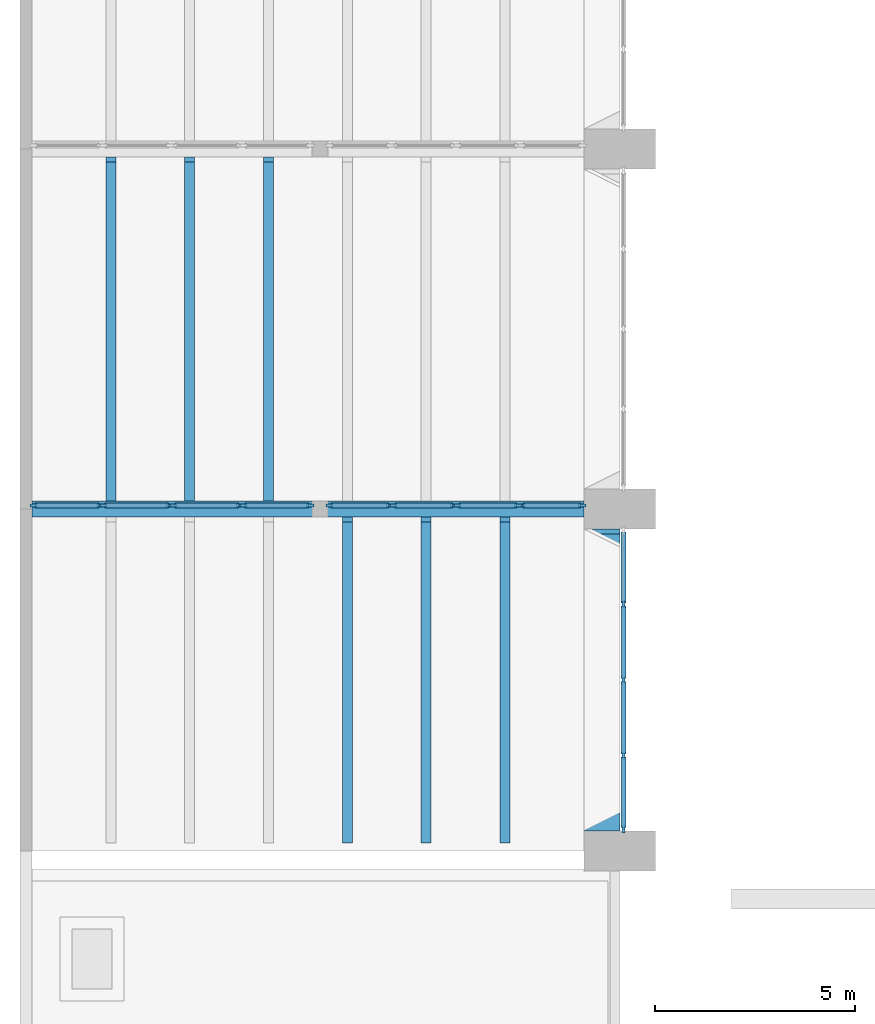
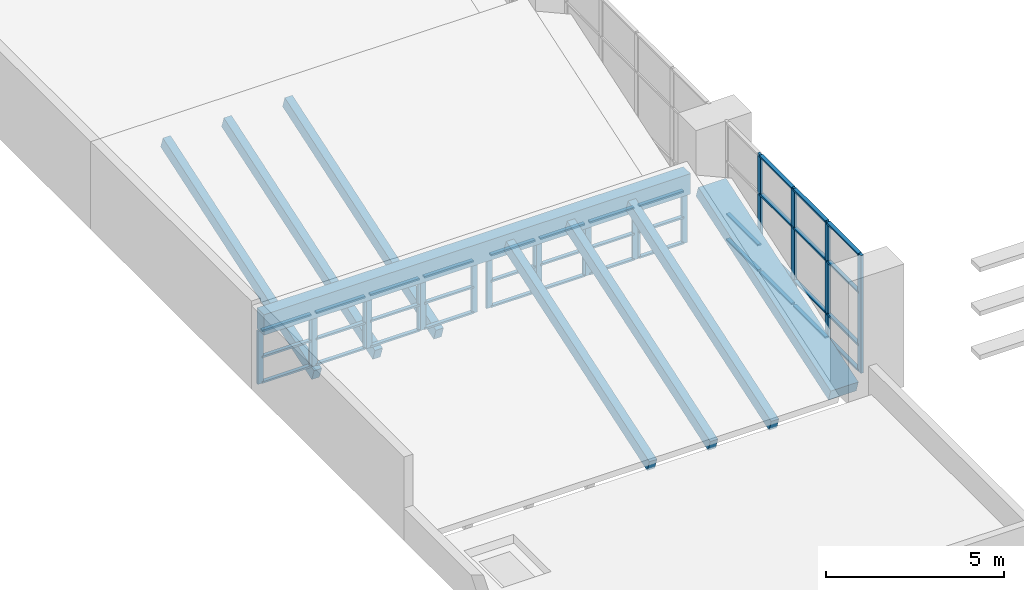
# One storey, part 3 of 43: 58 members, 8 beams, 9 elements without a shape of their own.
"""IFC4 building model written with IfcOpenShell, lengths in metres."""

from ifc_helpers import new_model, si_unit, direction, frame, origin, origin_2d, place, context, subcontext, project, spatial, rectangle, extrude, material, material_profile, profile_set, type_object, element, aggregate, save


model = new_model("IFC4")

# Units and contexts
model_context = context("Model", 3, precision=1e-05, world=origin(), true_north=direction((0.0, 1.0)))
body_context = subcontext(model_context, "Body", "Model", "MODEL_VIEW")
ifc_project = project(units=[si_unit("LENGTHUNIT", "METRE"), si_unit("AREAUNIT", "SQUARE_METRE"), si_unit("VOLUMEUNIT", "CUBIC_METRE"), si_unit("PLANEANGLEUNIT", "RADIAN"), si_unit("MASSUNIT", "GRAM", prefix="KILO")], contexts=[model_context])

# Site, building, storey
site_placement = place(None, origin())
site = spatial("IfcSite", under=ifc_project, at=site_placement, CompositionType="ELEMENT")
building_placement = place(site_placement, origin())
building = spatial("IfcBuilding", under=site, at=building_placement, Name="Elmora Arch Market Hall", CompositionType="ELEMENT")
storey_placement = place(building_placement, frame((0.0, 0.0, 10.199951171875)))
storey = spatial("IfcBuildingStorey", under=building, at=storey_placement, Name="L02", CompositionType="ELEMENT", Elevation=10.199951171875)

# Curtain wall, members
ifc_material_1 = material(Name="Aluminium", Category="aluminium")
curtain_wall_type_1 = type_object("IfcCurtainWallType", Name="Hall front curtain wall", PredefinedType="NOTDEFINED", material=ifc_material_1)
curtain_wall_1_placement = place(storey_placement, origin())
curtain_wall_1 = element("IfcCurtainWall", 1, at=curtain_wall_1_placement, inside=storey, type_object=curtain_wall_type_1, Name="Hall west glazing L02 1", PredefinedType="NOTDEFINED")
ifc_material_2 = material(Name="Aluminium", Category="aluminium")
ifc_material_profile_1 = material_profile(ifc_material_2, rectangle(XDim=0.080078125, YDim=0.179931640625, at=origin_2d()), Name="AL 80x180")
ifc_profile_set_1 = profile_set([ifc_material_profile_1], Name="Aluminium")
member_type_1 = type_object("IfcMemberType", Name="Mullion 80x180", PredefinedType="MULLION", material=ifc_profile_set_1)
member_1_placement = place(storey_placement, frame((15.090087890625, 27.989990234375, 0.166748046875), z_axis=(0.0, 0.0, 1.0), x_axis=(-1.0, 0.0, 0.0)))
member_1 = element("IfcMember", 2, at=member_1_placement, type_object=member_type_1, Name="CW2 mullion 1", PredefinedType="MULLION", context=body_context, shape_type="SweptSolid", body=[
    extrude(rectangle(XDim=0.080078125, YDim=0.179931640625, at=origin_2d()), origin(), (0.0, 0.0, 1.0), 4.033203125),
])
member_2_placement = place(storey_placement, frame((15.090087890625, 29.83740234375, 0.166748046875), z_axis=(0.0, 0.0, 1.0), x_axis=(-1.0, 0.0, 0.0)))
member_2 = element("IfcMember", 3, at=member_2_placement, type_object=member_type_1, Name="CW2 mullion 2", PredefinedType="MULLION", context=body_context, shape_type="SweptSolid", body=[
    extrude(rectangle(XDim=0.080078125, YDim=0.179931640625, at=origin_2d()), origin(), (0.0, 0.0, 1.0), 4.033203125),
])
member_3_placement = place(storey_placement, frame((15.090087890625, 31.72509765625, 0.166748046875), z_axis=(0.0, 0.0, 1.0), x_axis=(-1.0, 0.0, 0.0)))
member_3 = element("IfcMember", 4, at=member_3_placement, type_object=member_type_1, Name="CW2 mullion 3", PredefinedType="MULLION", context=body_context, shape_type="SweptSolid", body=[
    extrude(rectangle(XDim=0.080078125, YDim=0.179931640625, at=origin_2d()), origin(), (0.0, 0.0, 1.0), 4.033203125),
])
member_4_placement = place(storey_placement, frame((15.090087890625, 33.612548828125, 0.166748046875), z_axis=(0.0, 0.0, 1.0), x_axis=(-1.0, 0.0, 0.0)))
member_4 = element("IfcMember", 5, at=member_4_placement, type_object=member_type_1, Name="CW2 mullion 4", PredefinedType="MULLION", context=body_context, shape_type="SweptSolid", body=[
    extrude(rectangle(XDim=0.080078125, YDim=0.179931640625, at=origin_2d()), origin(), (0.0, 0.0, 1.0), 4.033203125),
])

ifc_material_3 = material(Name="Aluminium", Category="aluminium")
curtain_wall_type_2 = type_object("IfcCurtainWallType", Name="Sawtooth glazing curtain wall", PredefinedType="NOTDEFINED", material=ifc_material_3)
curtain_wall_2_placement = place(storey_placement, origin())
curtain_wall_2 = element("IfcCurtainWall", 6, at=curtain_wall_2_placement, inside=storey, type_object=curtain_wall_type_2, Name="Sawtooth riser 1 part 1.1", PredefinedType="NOTDEFINED")
member_5_placement = place(storey_placement, frame((0.340087890625, 36.090087890625, 0.030029296875), z_axis=(0.0, 0.0, 1.0), x_axis=(0.0, 1.0, 0.0)))
member_5 = element("IfcMember", 7, at=member_5_placement, type_object=member_type_1, Name="CW7 mullion 1", PredefinedType="MULLION", context=body_context, shape_type="SweptSolid", body=[
    extrude(rectangle(XDim=0.080078125, YDim=0.179931640625, at=origin_2d()), origin(), (0.0, 0.0, 1.0), 1.820068359375),
])
member_6_placement = place(storey_placement, frame((2.010009765625, 36.090087890625, 0.030029296875), z_axis=(0.0, 0.0, 1.0), x_axis=(0.0, 1.0, 0.0)))
member_6 = element("IfcMember", 8, at=member_6_placement, type_object=member_type_1, Name="CW7 mullion 2", PredefinedType="MULLION", context=body_context, shape_type="SweptSolid", body=[
    extrude(rectangle(XDim=0.080078125, YDim=0.179931640625, at=origin_2d()), origin(), (0.0, 0.0, 1.0), 1.820068359375),
])

curtain_wall_3_placement = place(storey_placement, origin())
curtain_wall_3 = element("IfcCurtainWall", 9, at=curtain_wall_3_placement, inside=storey, type_object=curtain_wall_type_2, Name="Sawtooth riser 1 part 1.2", PredefinedType="NOTDEFINED")
member_7_placement = place(storey_placement, frame((2.090087890625, 36.090087890625, 0.030029296875), z_axis=(0.0, 0.0, 1.0), x_axis=(0.0, 1.0, 0.0)))
member_7 = element("IfcMember", 10, at=member_7_placement, type_object=member_type_1, Name="CW7 mullion 1", PredefinedType="MULLION", context=body_context, shape_type="SweptSolid", body=[
    extrude(rectangle(XDim=0.080078125, YDim=0.179931640625, at=origin_2d()), origin(), (0.0, 0.0, 1.0), 1.820068359375),
])
member_8_placement = place(storey_placement, frame((3.760009765625, 36.090087890625, 0.030029296875), z_axis=(0.0, 0.0, 1.0), x_axis=(0.0, 1.0, 0.0)))
member_8 = element("IfcMember", 11, at=member_8_placement, type_object=member_type_1, Name="CW7 mullion 2", PredefinedType="MULLION", context=body_context, shape_type="SweptSolid", body=[
    extrude(rectangle(XDim=0.080078125, YDim=0.179931640625, at=origin_2d()), origin(), (0.0, 0.0, 1.0), 1.820068359375),
])

curtain_wall_4_placement = place(storey_placement, origin())
curtain_wall_4 = element("IfcCurtainWall", 12, at=curtain_wall_4_placement, inside=storey, type_object=curtain_wall_type_2, Name="Sawtooth riser 1 part 1.3", PredefinedType="NOTDEFINED")
member_9_placement = place(storey_placement, frame((3.840087890625, 36.090087890625, 0.030029296875), z_axis=(0.0, 0.0, 1.0), x_axis=(0.0, 1.0, 0.0)))
member_9 = element("IfcMember", 13, at=member_9_placement, type_object=member_type_1, Name="CW7 mullion 1", PredefinedType="MULLION", context=body_context, shape_type="SweptSolid", body=[
    extrude(rectangle(XDim=0.080078125, YDim=0.179931640625, at=origin_2d()), origin(), (0.0, 0.0, 1.0), 1.820068359375),
])
member_10_placement = place(storey_placement, frame((5.510009765625, 36.090087890625, 0.030029296875), z_axis=(0.0, 0.0, 1.0), x_axis=(0.0, 1.0, 0.0)))
member_10 = element("IfcMember", 14, at=member_10_placement, type_object=member_type_1, Name="CW7 mullion 2", PredefinedType="MULLION", context=body_context, shape_type="SweptSolid", body=[
    extrude(rectangle(XDim=0.080078125, YDim=0.179931640625, at=origin_2d()), origin(), (0.0, 0.0, 1.0), 1.820068359375),
])

curtain_wall_5_placement = place(storey_placement, origin())
curtain_wall_5 = element("IfcCurtainWall", 15, at=curtain_wall_5_placement, inside=storey, type_object=curtain_wall_type_2, Name="Sawtooth riser 1 part 1.4", PredefinedType="NOTDEFINED")
member_11_placement = place(storey_placement, frame((5.590087890625, 36.090087890625, 0.030029296875), z_axis=(0.0, 0.0, 1.0), x_axis=(0.0, 1.0, 0.0)))
member_11 = element("IfcMember", 16, at=member_11_placement, type_object=member_type_1, Name="CW7 mullion 1", PredefinedType="MULLION", context=body_context, shape_type="SweptSolid", body=[
    extrude(rectangle(XDim=0.080078125, YDim=0.179931640625, at=origin_2d()), origin(), (0.0, 0.0, 1.0), 1.820068359375),
])
member_12_placement = place(storey_placement, frame((7.260009765625, 36.090087890625, 0.030029296875), z_axis=(0.0, 0.0, 1.0), x_axis=(0.0, 1.0, 0.0)))
member_12 = element("IfcMember", 17, at=member_12_placement, type_object=member_type_1, Name="CW7 mullion 2", PredefinedType="MULLION", context=body_context, shape_type="SweptSolid", body=[
    extrude(rectangle(XDim=0.080078125, YDim=0.179931640625, at=origin_2d()), origin(), (0.0, 0.0, 1.0), 1.820068359375),
])

curtain_wall_6_placement = place(storey_placement, origin())
curtain_wall_6 = element("IfcCurtainWall", 18, at=curtain_wall_6_placement, inside=storey, type_object=curtain_wall_type_2, Name="Sawtooth riser 1 part 2.1", PredefinedType="NOTDEFINED")
member_13_placement = place(storey_placement, frame((7.739990234375, 36.090087890625, 0.030029296875), z_axis=(0.0, 0.0, 1.0), x_axis=(0.0, 1.0, 0.0)))
member_13 = element("IfcMember", 19, at=member_13_placement, type_object=member_type_1, Name="CW7 mullion 1", PredefinedType="MULLION", context=body_context, shape_type="SweptSolid", body=[
    extrude(rectangle(XDim=0.080078125, YDim=0.179931640625, at=origin_2d()), origin(), (0.0, 0.0, 1.0), 1.820068359375),
])
member_14_placement = place(storey_placement, frame((9.260009765625, 36.090087890625, 0.030029296875), z_axis=(0.0, 0.0, 1.0), x_axis=(0.0, 1.0, 0.0)))
member_14 = element("IfcMember", 20, at=member_14_placement, type_object=member_type_1, Name="CW7 mullion 2", PredefinedType="MULLION", context=body_context, shape_type="SweptSolid", body=[
    extrude(rectangle(XDim=0.080078125, YDim=0.179931640625, at=origin_2d()), origin(), (0.0, 0.0, 1.0), 1.820068359375),
])

curtain_wall_7_placement = place(storey_placement, origin())
curtain_wall_7 = element("IfcCurtainWall", 21, at=curtain_wall_7_placement, inside=storey, type_object=curtain_wall_type_2, Name="Sawtooth riser 1 part 2.2", PredefinedType="NOTDEFINED")
member_15_placement = place(storey_placement, frame((9.340087890625, 36.090087890625, 0.030029296875), z_axis=(0.0, 0.0, 1.0), x_axis=(0.0, 1.0, 0.0)))
member_15 = element("IfcMember", 22, at=member_15_placement, type_object=member_type_1, Name="CW7 mullion 1", PredefinedType="MULLION", context=body_context, shape_type="SweptSolid", body=[
    extrude(rectangle(XDim=0.080078125, YDim=0.179931640625, at=origin_2d()), origin(), (0.0, 0.0, 1.0), 1.820068359375),
])
member_16_placement = place(storey_placement, frame((10.860107421875, 36.090087890625, 0.030029296875), z_axis=(0.0, 0.0, 1.0), x_axis=(0.0, 1.0, 0.0)))
member_16 = element("IfcMember", 23, at=member_16_placement, type_object=member_type_1, Name="CW7 mullion 2", PredefinedType="MULLION", context=body_context, shape_type="SweptSolid", body=[
    extrude(rectangle(XDim=0.080078125, YDim=0.179931640625, at=origin_2d()), origin(), (0.0, 0.0, 1.0), 1.820068359375),
])

curtain_wall_8_placement = place(storey_placement, origin())
curtain_wall_8 = element("IfcCurtainWall", 24, at=curtain_wall_8_placement, inside=storey, type_object=curtain_wall_type_2, Name="Sawtooth riser 1 part 2.3", PredefinedType="NOTDEFINED")
member_17_placement = place(storey_placement, frame((10.93994140625, 36.090087890625, 0.030029296875), z_axis=(0.0, 0.0, 1.0), x_axis=(0.0, 1.0, 0.0)))
member_17 = element("IfcMember", 25, at=member_17_placement, type_object=member_type_1, Name="CW7 mullion 1", PredefinedType="MULLION", context=body_context, shape_type="SweptSolid", body=[
    extrude(rectangle(XDim=0.080078125, YDim=0.179931640625, at=origin_2d()), origin(), (0.0, 0.0, 1.0), 1.820068359375),
])
member_18_placement = place(storey_placement, frame((12.4599609375, 36.090087890625, 0.030029296875), z_axis=(0.0, 0.0, 1.0), x_axis=(0.0, 1.0, 0.0)))
member_18 = element("IfcMember", 26, at=member_18_placement, type_object=member_type_1, Name="CW7 mullion 2", PredefinedType="MULLION", context=body_context, shape_type="SweptSolid", body=[
    extrude(rectangle(XDim=0.080078125, YDim=0.179931640625, at=origin_2d()), origin(), (0.0, 0.0, 1.0), 1.820068359375),
])

curtain_wall_9_placement = place(storey_placement, origin())
curtain_wall_9 = element("IfcCurtainWall", 27, at=curtain_wall_9_placement, inside=storey, type_object=curtain_wall_type_2, Name="Sawtooth riser 1 part 2.4", PredefinedType="NOTDEFINED")
member_19_placement = place(storey_placement, frame((12.5400390625, 36.090087890625, 0.030029296875), z_axis=(0.0, 0.0, 1.0), x_axis=(0.0, 1.0, 0.0)))
member_19 = element("IfcMember", 28, at=member_19_placement, type_object=member_type_1, Name="CW7 mullion 1", PredefinedType="MULLION", context=body_context, shape_type="SweptSolid", body=[
    extrude(rectangle(XDim=0.080078125, YDim=0.179931640625, at=origin_2d()), origin(), (0.0, 0.0, 1.0), 1.820068359375),
])
member_20_placement = place(storey_placement, frame((14.06005859375, 36.090087890625, 0.030029296875), z_axis=(0.0, 0.0, 1.0), x_axis=(0.0, 1.0, 0.0)))
member_20 = element("IfcMember", 29, at=member_20_placement, type_object=member_type_1, Name="CW7 mullion 2", PredefinedType="MULLION", context=body_context, shape_type="SweptSolid", body=[
    extrude(rectangle(XDim=0.080078125, YDim=0.179931640625, at=origin_2d()), origin(), (0.0, 0.0, 1.0), 1.820068359375),
])

# Beams
ifc_material_4 = material(Name="Concrete C32/40", Category="concrete")
ifc_material_profile_2 = material_profile(ifc_material_4, rectangle(XDim=0.39990234375, YDim=0.699951171875, at=origin_2d()), Name="Ridge beam 400x700")
ifc_profile_set_2 = profile_set([ifc_material_profile_2], Name="Concrete C32/40")
beam_type_1 = type_object("IfcBeamType", Name="Ridge beam 400x700", PredefinedType="BEAM", material=ifc_profile_set_2)
beam_1_placement = place(storey_placement, frame((0.300048828125, 36.0, 2.199951171875), z_axis=(1.0, 0.0, 0.0), x_axis=(0.0, 1.0, 0.0)))
element("IfcBeam", 30, at=beam_1_placement, inside=storey, type_object=beam_type_1, Name="Ridge beam RB1 L02.1", PredefinedType="BEAM", context=body_context, shape_type="SweptSolid", body=[
    extrude(rectangle(XDim=0.39990234375, YDim=0.699951171875, at=origin_2d()), origin(), (0.0, 0.0, 1.0), 13.800048828125),
])
ifc_material_5 = material(Name="Concrete C32/40", Category="concrete")
ifc_material_profile_3 = material_profile(ifc_material_5, rectangle(XDim=0.89990234375, YDim=0.39990234375, at=origin_2d()), Name="Sawtooth edge beam 900x400")
ifc_profile_set_3 = profile_set([ifc_material_profile_3], Name="Concrete C32/40")
beam_type_2 = type_object("IfcBeamType", Name="Sawtooth edge beam 900x400", PredefinedType="BEAM", material=ifc_profile_set_3)
beam_2_placement = place(storey_placement, frame((14.550048828125, 28.01318359375, -0.322998046875), z_axis=(0.0, 0.948689537808, 0.31620904613), x_axis=(-1.0, 0.0, 0.0)))
element("IfcBeam", 31, at=beam_2_placement, inside=storey, type_object=beam_type_2, Name="Sawtooth edge beam 1", PredefinedType="BEAM", context=body_context, shape_type="SweptSolid", body=[
    extrude(rectangle(XDim=0.89990234375, YDim=0.39990234375, at=origin_2d()), origin(), (0.0, 0.0, 1.0), 7.8251953125),
])
ifc_material_6 = material(Name="Concrete C32/40", Category="concrete")
ifc_material_profile_4 = material_profile(ifc_material_6, rectangle(XDim=0.25, YDim=0.39990234375, at=origin_2d()), Name="Sawtooth rafter 250x400")
ifc_profile_set_4 = profile_set([ifc_material_profile_4], Name="Concrete C32/40")
beam_type_3 = type_object("IfcBeamType", Name="Sawtooth rafter 250x400", PredefinedType="BEAM", material=ifc_profile_set_4)
for number, where, z_axis, x_axis, name in (
    (32, (8.185791015625, 27.713134765625, -0.443115234375), (0.0, 0.948683298051, 0.316227766017), (-1.0, 0.0, 0.0), "Sawtooth rafter 1.4"),
    (33, (10.156982421875, 27.713134765625, -0.443115234375), (0.0, 0.948683298051, 0.316227766017), (-1.0, 0.0, 0.0), "Sawtooth rafter 1.5"),
    (34, (12.128662109375, 27.713134765625, -0.443115234375), (0.0, 0.948683298051, 0.316227766017), (-1.0, 0.0, 0.0), "Sawtooth rafter 1.6"),
):
    element("IfcBeam", number, at=place(storey_placement, frame(where, z_axis=z_axis, x_axis=x_axis)), inside=storey, type_object=beam_type_3, Name=name, PredefinedType="BEAM", context=body_context, shape_type="SweptSolid", body=[
        extrude(rectangle(XDim=0.25, YDim=0.39990234375, at=origin_2d()), origin(), (0.0, 0.0, 1.0), 8.457763671875),
    ])
for number, where, z_axis, x_axis, name in (
    (35, (2.271484375, 36.26318359375, -0.443115234375), (0.0, 0.94868603135, 0.316219565999), (-1.0, 0.0, 0.0), "Sawtooth rafter 2.1"),
    (36, (4.242919921875, 36.26318359375, -0.443115234375), (0.0, 0.94868603135, 0.316219565999), (-1.0, 0.0, 0.0), "Sawtooth rafter 2.2"),
    (37, (6.21435546875, 36.26318359375, -0.443115234375), (0.0, 0.94868603135, 0.316219565999), (-1.0, 0.0, 0.0), "Sawtooth rafter 2.3"),
):
    element("IfcBeam", number, at=place(storey_placement, frame(where, z_axis=z_axis, x_axis=x_axis)), inside=storey, type_object=beam_type_3, Name=name, PredefinedType="BEAM", context=body_context, shape_type="SweptSolid", body=[
        extrude(rectangle(XDim=0.25, YDim=0.39990234375, at=origin_2d()), origin(), (0.0, 0.0, 1.0), 8.931884765625),
    ])

# Member
ifc_material_7 = material(Name="Aluminium", Category="aluminium")
ifc_material_profile_5 = material_profile(ifc_material_7, rectangle(XDim=0.1201171875, YDim=0.06005859375, at=origin_2d()), Name="AL 120x60")
ifc_profile_set_5 = profile_set([ifc_material_profile_5], Name="Aluminium")
member_type_2 = type_object("IfcMemberType", Name="Transom 120x60", PredefinedType="USERDEFINED", material=ifc_profile_set_5)
member_21_placement = place(storey_placement, frame((15.090087890625, 28.030029296875, 0.19677734375), z_axis=(0.0, 1.0, 0.0), x_axis=(-1.0, 0.0, 0.0)))
member_21 = element("IfcMember", 38, at=member_21_placement, type_object=member_type_2, Name="CW2 transom 1.1", ObjectType="TRANSOM", PredefinedType="USERDEFINED", context=body_context, shape_type="SweptSolid", body=[
    extrude(rectangle(XDim=0.1201171875, YDim=0.06005859375, at=origin_2d()), origin(), (0.0, 0.0, 1.0), 1.767578125),
])

member_22_placement = place(storey_placement, frame((15.090087890625, 28.030029296875, 1.066650390625), z_axis=(0.0, 1.0, 0.0), x_axis=(-1.0, 0.0, 0.0)))
member_22 = element("IfcMember", 39, at=member_22_placement, type_object=member_type_2, Name="CW2 transom 1.2", ObjectType="TRANSOM", PredefinedType="USERDEFINED", context=body_context, shape_type="SweptSolid", body=[
    extrude(rectangle(XDim=0.1201171875, YDim=0.06005859375, at=origin_2d()), origin(), (0.0, 0.0, 1.0), 1.767578125),
])

member_23_placement = place(storey_placement, frame((15.090087890625, 28.030029296875, 2.86669921875), z_axis=(0.0, 1.0, 0.0), x_axis=(-1.0, 0.0, 0.0)))
member_23 = element("IfcMember", 40, at=member_23_placement, type_object=member_type_2, Name="CW2 transom 1.3", ObjectType="TRANSOM", PredefinedType="USERDEFINED", context=body_context, shape_type="SweptSolid", body=[
    extrude(rectangle(XDim=0.1201171875, YDim=0.06005859375, at=origin_2d()), origin(), (0.0, 0.0, 1.0), 1.767578125),
])

member_24_placement = place(storey_placement, frame((15.090087890625, 28.030029296875, 4.170166015625), z_axis=(0.0, 1.0, 0.0), x_axis=(-1.0, 0.0, 0.0)))
member_24 = element("IfcMember", 41, at=member_24_placement, type_object=member_type_2, Name="CW2 transom 1.4", ObjectType="TRANSOM", PredefinedType="USERDEFINED", context=body_context, shape_type="SweptSolid", body=[
    extrude(rectangle(XDim=0.1201171875, YDim=0.06005859375, at=origin_2d()), origin(), (0.0, 0.0, 1.0), 1.767578125),
])

member_25_placement = place(storey_placement, frame((15.090087890625, 29.87744140625, 0.19677734375), z_axis=(0.0, 1.0, 0.0), x_axis=(-1.0, 0.0, 0.0)))
member_25 = element("IfcMember", 42, at=member_25_placement, type_object=member_type_2, Name="CW2 transom 2.1", ObjectType="TRANSOM", PredefinedType="USERDEFINED", context=body_context, shape_type="SweptSolid", body=[
    extrude(rectangle(XDim=0.1201171875, YDim=0.06005859375, at=origin_2d()), origin(), (0.0, 0.0, 1.0), 1.8076171875),
])

member_26_placement = place(storey_placement, frame((15.090087890625, 29.87744140625, 1.066650390625), z_axis=(0.0, 1.0, 0.0), x_axis=(-1.0, 0.0, 0.0)))
member_26 = element("IfcMember", 43, at=member_26_placement, type_object=member_type_2, Name="CW2 transom 2.2", ObjectType="TRANSOM", PredefinedType="USERDEFINED", context=body_context, shape_type="SweptSolid", body=[
    extrude(rectangle(XDim=0.1201171875, YDim=0.06005859375, at=origin_2d()), origin(), (0.0, 0.0, 1.0), 1.8076171875),
])

member_27_placement = place(storey_placement, frame((15.090087890625, 29.87744140625, 2.86669921875), z_axis=(0.0, 1.0, 0.0), x_axis=(-1.0, 0.0, 0.0)))
member_27 = element("IfcMember", 44, at=member_27_placement, type_object=member_type_2, Name="CW2 transom 2.3", ObjectType="TRANSOM", PredefinedType="USERDEFINED", context=body_context, shape_type="SweptSolid", body=[
    extrude(rectangle(XDim=0.1201171875, YDim=0.06005859375, at=origin_2d()), origin(), (0.0, 0.0, 1.0), 1.8076171875),
])

member_28_placement = place(storey_placement, frame((15.090087890625, 29.87744140625, 4.170166015625), z_axis=(0.0, 1.0, 0.0), x_axis=(-1.0, 0.0, 0.0)))
member_28 = element("IfcMember", 45, at=member_28_placement, type_object=member_type_2, Name="CW2 transom 2.4", ObjectType="TRANSOM", PredefinedType="USERDEFINED", context=body_context, shape_type="SweptSolid", body=[
    extrude(rectangle(XDim=0.1201171875, YDim=0.06005859375, at=origin_2d()), origin(), (0.0, 0.0, 1.0), 1.8076171875),
])

member_29_placement = place(storey_placement, frame((15.090087890625, 31.764892578125, 0.19677734375), z_axis=(0.0, 1.0, 0.0), x_axis=(-1.0, 0.0, 0.0)))
member_29 = element("IfcMember", 46, at=member_29_placement, type_object=member_type_2, Name="CW2 transom 3.1", ObjectType="TRANSOM", PredefinedType="USERDEFINED", context=body_context, shape_type="SweptSolid", body=[
    extrude(rectangle(XDim=0.1201171875, YDim=0.06005859375, at=origin_2d()), origin(), (0.0, 0.0, 1.0), 1.8076171875),
])

member_30_placement = place(storey_placement, frame((15.090087890625, 31.764892578125, 1.066650390625), z_axis=(0.0, 1.0, 0.0), x_axis=(-1.0, 0.0, 0.0)))
member_30 = element("IfcMember", 47, at=member_30_placement, type_object=member_type_2, Name="CW2 transom 3.2", ObjectType="TRANSOM", PredefinedType="USERDEFINED", context=body_context, shape_type="SweptSolid", body=[
    extrude(rectangle(XDim=0.1201171875, YDim=0.06005859375, at=origin_2d()), origin(), (0.0, 0.0, 1.0), 1.8076171875),
])

member_31_placement = place(storey_placement, frame((15.090087890625, 31.764892578125, 2.86669921875), z_axis=(0.0, 1.0, 0.0), x_axis=(-1.0, 0.0, 0.0)))
member_31 = element("IfcMember", 48, at=member_31_placement, type_object=member_type_2, Name="CW2 transom 3.3", ObjectType="TRANSOM", PredefinedType="USERDEFINED", context=body_context, shape_type="SweptSolid", body=[
    extrude(rectangle(XDim=0.1201171875, YDim=0.06005859375, at=origin_2d()), origin(), (0.0, 0.0, 1.0), 1.8076171875),
])

member_32_placement = place(storey_placement, frame((15.090087890625, 31.764892578125, 4.170166015625), z_axis=(0.0, 1.0, 0.0), x_axis=(-1.0, 0.0, 0.0)))
member_32 = element("IfcMember", 49, at=member_32_placement, type_object=member_type_2, Name="CW2 transom 3.4", ObjectType="TRANSOM", PredefinedType="USERDEFINED", context=body_context, shape_type="SweptSolid", body=[
    extrude(rectangle(XDim=0.1201171875, YDim=0.06005859375, at=origin_2d()), origin(), (0.0, 0.0, 1.0), 1.8076171875),
])

member_33_placement = place(storey_placement, frame((15.090087890625, 33.652587890625, 0.19677734375), z_axis=(0.0, 1.0, 0.0), x_axis=(-1.0, 0.0, 0.0)))
member_33 = element("IfcMember", 50, at=member_33_placement, type_object=member_type_2, Name="CW2 transom 4.1", ObjectType="TRANSOM", PredefinedType="USERDEFINED", context=body_context, shape_type="SweptSolid", body=[
    extrude(rectangle(XDim=0.1201171875, YDim=0.06005859375, at=origin_2d()), origin(), (0.0, 0.0, 1.0), 1.767333984375),
])

member_34_placement = place(storey_placement, frame((15.090087890625, 33.652587890625, 1.066650390625), z_axis=(0.0, 1.0, 0.0), x_axis=(-1.0, 0.0, 0.0)))
member_34 = element("IfcMember", 51, at=member_34_placement, type_object=member_type_2, Name="CW2 transom 4.2", ObjectType="TRANSOM", PredefinedType="USERDEFINED", context=body_context, shape_type="SweptSolid", body=[
    extrude(rectangle(XDim=0.1201171875, YDim=0.06005859375, at=origin_2d()), origin(), (0.0, 0.0, 1.0), 1.767333984375),
])

aggregate(curtain_wall_1, [member_1, member_2, member_3, member_4, member_21, member_22, member_23, member_24, member_25, member_26, member_27, member_28, member_29, member_30, member_31, member_32, member_33, member_34])

member_35_placement = place(storey_placement, frame((0.3798828125, 36.090087890625, 0.06005859375), z_axis=(1.0, 0.0, 0.0), x_axis=(0.0, 1.0, 0.0)))
member_35 = element("IfcMember", 52, at=member_35_placement, type_object=member_type_2, Name="CW7 transom 1.1", ObjectType="TRANSOM", PredefinedType="USERDEFINED", context=body_context, shape_type="SweptSolid", body=[
    extrude(rectangle(XDim=0.1201171875, YDim=0.06005859375, at=origin_2d()), origin(), (0.0, 0.0, 1.0), 1.590087890625),
])

member_36_placement = place(storey_placement, frame((0.3798828125, 36.090087890625, 0.929931640625), z_axis=(1.0, 0.0, 0.0), x_axis=(0.0, 1.0, 0.0)))
member_36 = element("IfcMember", 53, at=member_36_placement, type_object=member_type_2, Name="CW7 transom 1.2", ObjectType="TRANSOM", PredefinedType="USERDEFINED", context=body_context, shape_type="SweptSolid", body=[
    extrude(rectangle(XDim=0.1201171875, YDim=0.06005859375, at=origin_2d()), origin(), (0.0, 0.0, 1.0), 1.590087890625),
])

member_37_placement = place(storey_placement, frame((0.3798828125, 36.090087890625, 1.820068359375), z_axis=(1.0, 0.0, 0.0), x_axis=(0.0, 1.0, 0.0)))
member_37 = element("IfcMember", 54, at=member_37_placement, type_object=member_type_2, Name="CW7 transom 1.3", ObjectType="TRANSOM", PredefinedType="USERDEFINED", context=body_context, shape_type="SweptSolid", body=[
    extrude(rectangle(XDim=0.1201171875, YDim=0.06005859375, at=origin_2d()), origin(), (0.0, 0.0, 1.0), 1.590087890625),
])

aggregate(curtain_wall_2, [member_5, member_6, member_35, member_36, member_37])

member_38_placement = place(storey_placement, frame((2.1298828125, 36.090087890625, 0.06005859375), z_axis=(1.0, 0.0, 0.0), x_axis=(0.0, 1.0, 0.0)))
member_38 = element("IfcMember", 55, at=member_38_placement, type_object=member_type_2, Name="CW7 transom 1.1", ObjectType="TRANSOM", PredefinedType="USERDEFINED", context=body_context, shape_type="SweptSolid", body=[
    extrude(rectangle(XDim=0.1201171875, YDim=0.06005859375, at=origin_2d()), origin(), (0.0, 0.0, 1.0), 1.590087890625),
])

member_39_placement = place(storey_placement, frame((2.1298828125, 36.090087890625, 0.929931640625), z_axis=(1.0, 0.0, 0.0), x_axis=(0.0, 1.0, 0.0)))
member_39 = element("IfcMember", 56, at=member_39_placement, type_object=member_type_2, Name="CW7 transom 1.2", ObjectType="TRANSOM", PredefinedType="USERDEFINED", context=body_context, shape_type="SweptSolid", body=[
    extrude(rectangle(XDim=0.1201171875, YDim=0.06005859375, at=origin_2d()), origin(), (0.0, 0.0, 1.0), 1.590087890625),
])

member_40_placement = place(storey_placement, frame((2.1298828125, 36.090087890625, 1.820068359375), z_axis=(1.0, 0.0, 0.0), x_axis=(0.0, 1.0, 0.0)))
member_40 = element("IfcMember", 57, at=member_40_placement, type_object=member_type_2, Name="CW7 transom 1.3", ObjectType="TRANSOM", PredefinedType="USERDEFINED", context=body_context, shape_type="SweptSolid", body=[
    extrude(rectangle(XDim=0.1201171875, YDim=0.06005859375, at=origin_2d()), origin(), (0.0, 0.0, 1.0), 1.590087890625),
])

aggregate(curtain_wall_3, [member_7, member_8, member_38, member_39, member_40])

member_41_placement = place(storey_placement, frame((3.8798828125, 36.090087890625, 0.06005859375), z_axis=(1.0, 0.0, 0.0), x_axis=(0.0, 1.0, 0.0)))
member_41 = element("IfcMember", 58, at=member_41_placement, type_object=member_type_2, Name="CW7 transom 1.1", ObjectType="TRANSOM", PredefinedType="USERDEFINED", context=body_context, shape_type="SweptSolid", body=[
    extrude(rectangle(XDim=0.1201171875, YDim=0.06005859375, at=origin_2d()), origin(), (0.0, 0.0, 1.0), 1.590087890625),
])

member_42_placement = place(storey_placement, frame((3.8798828125, 36.090087890625, 0.929931640625), z_axis=(1.0, 0.0, 0.0), x_axis=(0.0, 1.0, 0.0)))
member_42 = element("IfcMember", 59, at=member_42_placement, type_object=member_type_2, Name="CW7 transom 1.2", ObjectType="TRANSOM", PredefinedType="USERDEFINED", context=body_context, shape_type="SweptSolid", body=[
    extrude(rectangle(XDim=0.1201171875, YDim=0.06005859375, at=origin_2d()), origin(), (0.0, 0.0, 1.0), 1.590087890625),
])

member_43_placement = place(storey_placement, frame((3.8798828125, 36.090087890625, 1.820068359375), z_axis=(1.0, 0.0, 0.0), x_axis=(0.0, 1.0, 0.0)))
member_43 = element("IfcMember", 60, at=member_43_placement, type_object=member_type_2, Name="CW7 transom 1.3", ObjectType="TRANSOM", PredefinedType="USERDEFINED", context=body_context, shape_type="SweptSolid", body=[
    extrude(rectangle(XDim=0.1201171875, YDim=0.06005859375, at=origin_2d()), origin(), (0.0, 0.0, 1.0), 1.590087890625),
])

aggregate(curtain_wall_4, [member_9, member_10, member_41, member_42, member_43])

member_44_placement = place(storey_placement, frame((5.6298828125, 36.090087890625, 0.06005859375), z_axis=(1.0, 0.0, 0.0), x_axis=(0.0, 1.0, 0.0)))
member_44 = element("IfcMember", 61, at=member_44_placement, type_object=member_type_2, Name="CW7 transom 1.1", ObjectType="TRANSOM", PredefinedType="USERDEFINED", context=body_context, shape_type="SweptSolid", body=[
    extrude(rectangle(XDim=0.1201171875, YDim=0.06005859375, at=origin_2d()), origin(), (0.0, 0.0, 1.0), 1.590087890625),
])

member_45_placement = place(storey_placement, frame((5.6298828125, 36.090087890625, 0.929931640625), z_axis=(1.0, 0.0, 0.0), x_axis=(0.0, 1.0, 0.0)))
member_45 = element("IfcMember", 62, at=member_45_placement, type_object=member_type_2, Name="CW7 transom 1.2", ObjectType="TRANSOM", PredefinedType="USERDEFINED", context=body_context, shape_type="SweptSolid", body=[
    extrude(rectangle(XDim=0.1201171875, YDim=0.06005859375, at=origin_2d()), origin(), (0.0, 0.0, 1.0), 1.590087890625),
])

member_46_placement = place(storey_placement, frame((5.6298828125, 36.090087890625, 1.820068359375), z_axis=(1.0, 0.0, 0.0), x_axis=(0.0, 1.0, 0.0)))
member_46 = element("IfcMember", 63, at=member_46_placement, type_object=member_type_2, Name="CW7 transom 1.3", ObjectType="TRANSOM", PredefinedType="USERDEFINED", context=body_context, shape_type="SweptSolid", body=[
    extrude(rectangle(XDim=0.1201171875, YDim=0.06005859375, at=origin_2d()), origin(), (0.0, 0.0, 1.0), 1.590087890625),
])

aggregate(curtain_wall_5, [member_11, member_12, member_44, member_45, member_46])

member_47_placement = place(storey_placement, frame((7.780029296875, 36.090087890625, 0.06005859375), z_axis=(1.0, 0.0, 0.0), x_axis=(0.0, 1.0, 0.0)))
member_47 = element("IfcMember", 64, at=member_47_placement, type_object=member_type_2, Name="CW7 transom 1.1", ObjectType="TRANSOM", PredefinedType="USERDEFINED", context=body_context, shape_type="SweptSolid", body=[
    extrude(rectangle(XDim=0.1201171875, YDim=0.06005859375, at=origin_2d()), origin(), (0.0, 0.0, 1.0), 1.43994140625),
])

member_48_placement = place(storey_placement, frame((7.780029296875, 36.090087890625, 0.929931640625), z_axis=(1.0, 0.0, 0.0), x_axis=(0.0, 1.0, 0.0)))
member_48 = element("IfcMember", 65, at=member_48_placement, type_object=member_type_2, Name="CW7 transom 1.2", ObjectType="TRANSOM", PredefinedType="USERDEFINED", context=body_context, shape_type="SweptSolid", body=[
    extrude(rectangle(XDim=0.1201171875, YDim=0.06005859375, at=origin_2d()), origin(), (0.0, 0.0, 1.0), 1.43994140625),
])

member_49_placement = place(storey_placement, frame((7.780029296875, 36.090087890625, 1.820068359375), z_axis=(1.0, 0.0, 0.0), x_axis=(0.0, 1.0, 0.0)))
member_49 = element("IfcMember", 66, at=member_49_placement, type_object=member_type_2, Name="CW7 transom 1.3", ObjectType="TRANSOM", PredefinedType="USERDEFINED", context=body_context, shape_type="SweptSolid", body=[
    extrude(rectangle(XDim=0.1201171875, YDim=0.06005859375, at=origin_2d()), origin(), (0.0, 0.0, 1.0), 1.43994140625),
])

aggregate(curtain_wall_6, [member_13, member_14, member_47, member_48, member_49])

member_50_placement = place(storey_placement, frame((9.3798828125, 36.090087890625, 0.06005859375), z_axis=(1.0, 0.0, 0.0), x_axis=(0.0, 1.0, 0.0)))
member_50 = element("IfcMember", 67, at=member_50_placement, type_object=member_type_2, Name="CW7 transom 1.1", ObjectType="TRANSOM", PredefinedType="USERDEFINED", context=body_context, shape_type="SweptSolid", body=[
    extrude(rectangle(XDim=0.1201171875, YDim=0.06005859375, at=origin_2d()), origin(), (0.0, 0.0, 1.0), 1.440185546875),
])

member_51_placement = place(storey_placement, frame((9.3798828125, 36.090087890625, 0.929931640625), z_axis=(1.0, 0.0, 0.0), x_axis=(0.0, 1.0, 0.0)))
member_51 = element("IfcMember", 68, at=member_51_placement, type_object=member_type_2, Name="CW7 transom 1.2", ObjectType="TRANSOM", PredefinedType="USERDEFINED", context=body_context, shape_type="SweptSolid", body=[
    extrude(rectangle(XDim=0.1201171875, YDim=0.06005859375, at=origin_2d()), origin(), (0.0, 0.0, 1.0), 1.440185546875),
])

member_52_placement = place(storey_placement, frame((9.3798828125, 36.090087890625, 1.820068359375), z_axis=(1.0, 0.0, 0.0), x_axis=(0.0, 1.0, 0.0)))
member_52 = element("IfcMember", 69, at=member_52_placement, type_object=member_type_2, Name="CW7 transom 1.3", ObjectType="TRANSOM", PredefinedType="USERDEFINED", context=body_context, shape_type="SweptSolid", body=[
    extrude(rectangle(XDim=0.1201171875, YDim=0.06005859375, at=origin_2d()), origin(), (0.0, 0.0, 1.0), 1.440185546875),
])

aggregate(curtain_wall_7, [member_15, member_16, member_50, member_51, member_52])

member_53_placement = place(storey_placement, frame((10.97998046875, 36.090087890625, 0.06005859375), z_axis=(1.0, 0.0, 0.0), x_axis=(0.0, 1.0, 0.0)))
member_53 = element("IfcMember", 70, at=member_53_placement, type_object=member_type_2, Name="CW7 transom 1.1", ObjectType="TRANSOM", PredefinedType="USERDEFINED", context=body_context, shape_type="SweptSolid", body=[
    extrude(rectangle(XDim=0.1201171875, YDim=0.06005859375, at=origin_2d()), origin(), (0.0, 0.0, 1.0), 1.43994140625),
])

member_54_placement = place(storey_placement, frame((10.97998046875, 36.090087890625, 0.929931640625), z_axis=(1.0, 0.0, 0.0), x_axis=(0.0, 1.0, 0.0)))
member_54 = element("IfcMember", 71, at=member_54_placement, type_object=member_type_2, Name="CW7 transom 1.2", ObjectType="TRANSOM", PredefinedType="USERDEFINED", context=body_context, shape_type="SweptSolid", body=[
    extrude(rectangle(XDim=0.1201171875, YDim=0.06005859375, at=origin_2d()), origin(), (0.0, 0.0, 1.0), 1.43994140625),
])

member_55_placement = place(storey_placement, frame((10.97998046875, 36.090087890625, 1.820068359375), z_axis=(1.0, 0.0, 0.0), x_axis=(0.0, 1.0, 0.0)))
member_55 = element("IfcMember", 72, at=member_55_placement, type_object=member_type_2, Name="CW7 transom 1.3", ObjectType="TRANSOM", PredefinedType="USERDEFINED", context=body_context, shape_type="SweptSolid", body=[
    extrude(rectangle(XDim=0.1201171875, YDim=0.06005859375, at=origin_2d()), origin(), (0.0, 0.0, 1.0), 1.43994140625),
])

aggregate(curtain_wall_8, [member_17, member_18, member_53, member_54, member_55])

member_56_placement = place(storey_placement, frame((12.580078125, 36.090087890625, 0.06005859375), z_axis=(1.0, 0.0, 0.0), x_axis=(0.0, 1.0, 0.0)))
member_56 = element("IfcMember", 73, at=member_56_placement, type_object=member_type_2, Name="CW7 transom 1.1", ObjectType="TRANSOM", PredefinedType="USERDEFINED", context=body_context, shape_type="SweptSolid", body=[
    extrude(rectangle(XDim=0.1201171875, YDim=0.06005859375, at=origin_2d()), origin(), (0.0, 0.0, 1.0), 1.43994140625),
])

member_57_placement = place(storey_placement, frame((12.580078125, 36.090087890625, 0.929931640625), z_axis=(1.0, 0.0, 0.0), x_axis=(0.0, 1.0, 0.0)))
member_57 = element("IfcMember", 74, at=member_57_placement, type_object=member_type_2, Name="CW7 transom 1.2", ObjectType="TRANSOM", PredefinedType="USERDEFINED", context=body_context, shape_type="SweptSolid", body=[
    extrude(rectangle(XDim=0.1201171875, YDim=0.06005859375, at=origin_2d()), origin(), (0.0, 0.0, 1.0), 1.43994140625),
])

member_58_placement = place(storey_placement, frame((12.580078125, 36.090087890625, 1.820068359375), z_axis=(1.0, 0.0, 0.0), x_axis=(0.0, 1.0, 0.0)))
member_58 = element("IfcMember", 75, at=member_58_placement, type_object=member_type_2, Name="CW7 transom 1.3", ObjectType="TRANSOM", PredefinedType="USERDEFINED", context=body_context, shape_type="SweptSolid", body=[
    extrude(rectangle(XDim=0.1201171875, YDim=0.06005859375, at=origin_2d()), origin(), (0.0, 0.0, 1.0), 1.43994140625),
])

aggregate(curtain_wall_9, [member_19, member_20, member_56, member_57, member_58])

save(model, "model.ifc")
